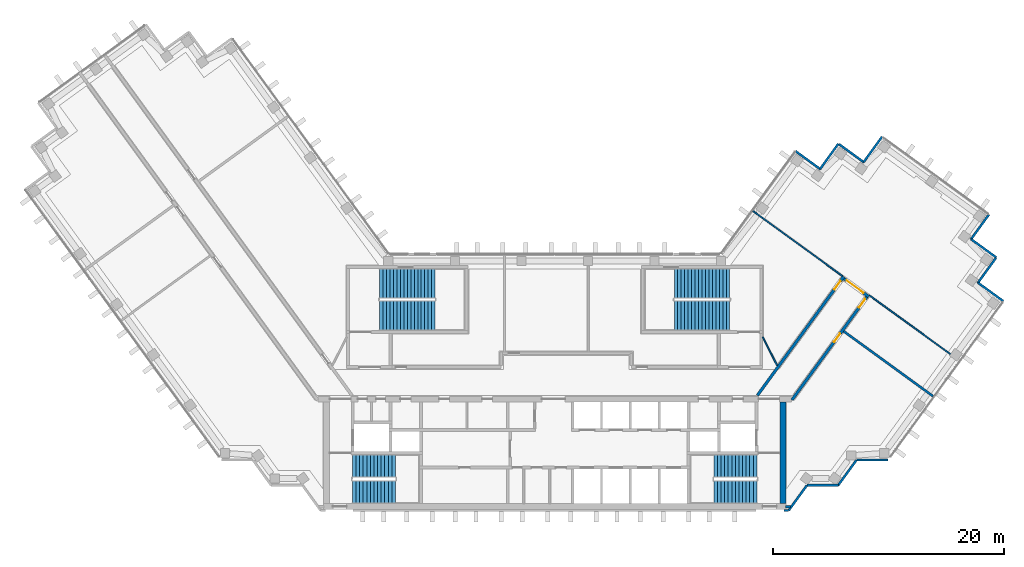
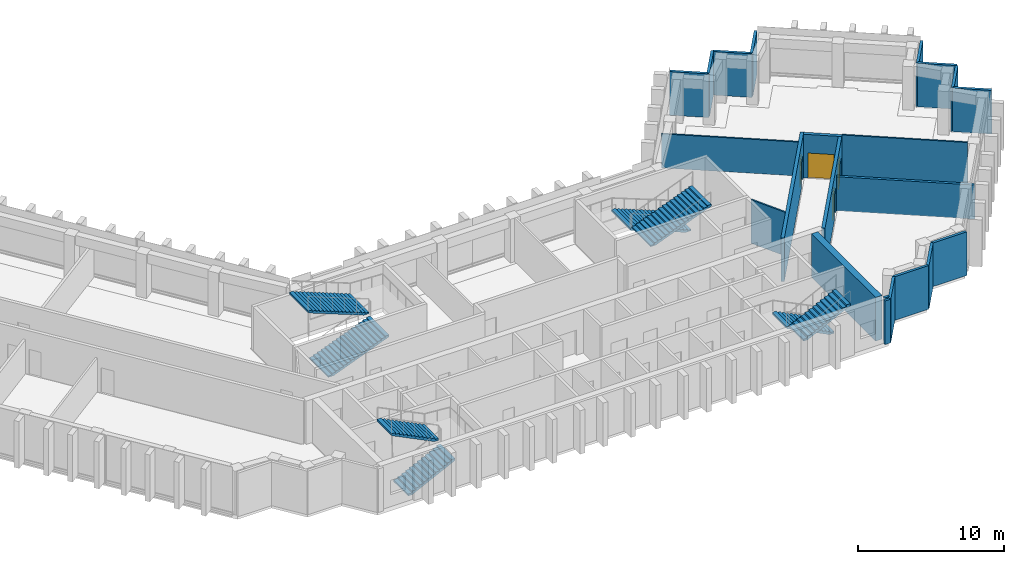
# One storey, part 7 of 9: 22 walls, 8 stair flights, 4 doors, 4 openings, 4 elements without a shape of their own.
"""IFC4 building model written with IfcOpenShell, lengths in metres."""

from ifc_helpers import new_model, si_unit, direction, frame, frame_2d, origin, place, context, subcontext, project, spatial, polyline, rectangle, outline, extrude, material, layer, layer_set, type_object, element, fill, aggregate, save


model = new_model("IFC4")

# Units and contexts
model_context = context("Model", 3, precision=1e-05, world=origin(), true_north=direction((0.0, 1.0)))
body_context = subcontext(model_context, "Body", "Model", "MODEL_VIEW")
ifc_project = project(units=[si_unit("LENGTHUNIT", "METRE"), si_unit("AREAUNIT", "SQUARE_METRE"), si_unit("VOLUMEUNIT", "CUBIC_METRE"), si_unit("PLANEANGLEUNIT", "RADIAN"), si_unit("MASSUNIT", "GRAM", prefix="KILO")], contexts=[model_context])

# Site, building, storey
site_placement = place(None, origin())
site = spatial("IfcSite", under=ifc_project, at=site_placement, CompositionType="ELEMENT")
building_placement = place(site_placement, origin())
building = spatial("IfcBuilding", under=site, at=building_placement, Name="Quipu Civic Tower", CompositionType="ELEMENT")
storey_placement = place(building_placement, frame((0.0, 0.0, 230.0)))
storey = spatial("IfcBuildingStorey", under=building, at=storey_placement, Name="L54", CompositionType="ELEMENT", Elevation=230.0)

# Walls
ifc_material_1 = material(Name="Fired clay blockwork", Category="masonry")
ifc_layer_1 = layer(ifc_material_1, 0.199951171875)
ifc_layer_set_1 = layer_set([ifc_layer_1], Name="Fired clay blockwork")
wall_type_1 = type_object("IfcWallType", Name="Blockwork wall 200", PredefinedType="SOLIDWALL", material=ifc_layer_set_1)
wall_1_placement = place(storey_placement, frame((32.734375, -1.18701171875, 0.0), z_axis=(0.0, 0.0, 1.0), x_axis=(-0.808994684961, 0.587815957341, 0.0)))
element("IfcWall", 1, at=wall_1_placement, inside=storey, type_object=wall_type_1, Name="Partition P08", PredefinedType="SOLIDWALL", context=body_context, shape_type="SweptSolid", body=[
    extrude(rectangle(XDim=9.55029296875, YDim=0.199951171875, at=frame_2d((4.775146484375, 0.0))), origin(), (0.0, 0.0, 1.0), 2.85009765625),
])
ifc_material_2 = material(Name="Concrete C70/85", Category="concrete")
ifc_layer_2 = layer(ifc_material_2, 0.5)
ifc_layer_set_2 = layer_set([ifc_layer_2], Name="Concrete C70/85")
wall_type_2 = type_object("IfcWallType", Name="Core wall 500", PredefinedType="SHEAR", material=ifc_layer_set_2)
wall_2_placement = place(storey_placement, frame((19.75, -10.5, 0.0), z_axis=(0.0, 0.0, 1.0), x_axis=(0.0, 1.0, 0.0)))
element("IfcWall", 2, at=wall_2_placement, inside=storey, type_object=wall_type_2, Name="Core wall", PredefinedType="SHEAR", context=body_context, shape_type="SweptSolid", body=[
    extrude(rectangle(XDim=8.800048828125, YDim=0.5, at=frame_2d((4.39990234375, 0.0))), origin(), (0.0, 0.0, 1.0), 3.64990234375),
])

# Wall, opening, door
ifc_material_3 = material(Name="Concrete C50/60", Category="concrete")
ifc_layer_3 = layer(ifc_material_3, 0.25)
ifc_layer_set_3 = layer_set([ifc_layer_3], Name="Concrete C50/60")
wall_type_3 = type_object("IfcWallType", Name="Corridor wall 250 concrete", PredefinedType="SOLIDWALL", material=ifc_layer_set_3)
wall_3_placement = place(storey_placement, frame((17.544921875, -1.124755859375, 0.0), z_axis=(0.0, 0.0, 1.0), x_axis=(0.587796810203, 0.809008596935, 0.0)))
wall_3 = element("IfcWall", 3, at=wall_3_placement, inside=storey, type_object=wall_type_3, Name="Corridor wall C02", PredefinedType="SOLIDWALL", context=body_context, shape_type="SweptSolid", body=[
    extrude(rectangle(XDim=12.703125, YDim=0.25, at=frame_2d((6.3515625, 0.0))), origin(), (0.0, 0.0, 1.0), 3.64990234375),
])
opening_1_placement = place(wall_3_placement, frame((11.32861328125, 0.0, 0.0)))
opening_1 = element("IfcOpeningElement", 4, at=opening_1_placement, cuts=wall_3, Name="Opening D001", PredefinedType="OPENING", context=body_context, shape_type="SweptSolid", body=[
    extrude(rectangle(XDim=0.89990234375, YDim=2.10009765625, at=frame_2d((0.449951171875, 1.050048828125))), frame((0.0, 0.135009765625, 0.0), z_axis=(0.0, -1.0, 0.0), x_axis=(1.0, 0.0, 0.0)), (0.0, 0.0, 1.0), 0.27001953125),
])
ifc_material_4 = material(Name="Fire rated timber door set with metal frame", Category="wood")
door_type_1 = type_object("IfcDoorType", Name="Single door 900 x 2100 FD60", OperationType="NOTDEFINED", PredefinedType="DOOR", material=ifc_material_4)
door_1_placement = place(opening_1_placement, origin())
door_1 = element("IfcDoor", 5, at=door_1_placement, inside=storey, type_object=door_type_1, Name="Door D001", OperationType="SINGLE_SWING_RIGHT", OverallHeight=2.10009765625, OverallWidth=0.89990234375, PredefinedType="DOOR", context=body_context, shape_type="SweptSolid", body=[
    extrude(rectangle(XDim=0.89990234375, YDim=2.10009765625, at=frame_2d((0.449951171875, 1.050048828125))), frame((0.0, 0.02490234375, 0.0), z_axis=(0.0, -1.0, 0.0), x_axis=(1.0, 0.0, 0.0)), (0.0, 0.0, 1.0), 0.050048828125),
])
fill(opening_1, door_1)

wall_4_placement = place(storey_placement, frame((25.039306640625, 8.9775390625, 0.0), z_axis=(0.0, 0.0, 1.0), x_axis=(0.809006914995, -0.587799125119, 0.0)))
wall_4 = element("IfcWall", 6, at=wall_4_placement, inside=storey, type_object=wall_type_3, Name="Corridor wall C03", PredefinedType="SOLIDWALL", context=body_context, shape_type="SweptSolid", body=[
    extrude(rectangle(XDim=2.64990234375, YDim=0.25, at=frame_2d((1.324951171875, 0.0))), origin(), (0.0, 0.0, 1.0), 3.64990234375),
])
opening_2_placement = place(wall_4_placement, frame((0.300537109375, 0.0, 0.0)))
opening_2 = element("IfcOpeningElement", 7, at=opening_2_placement, cuts=wall_4, Name="Opening D004", PredefinedType="OPENING", context=body_context, shape_type="SweptSolid", body=[
    extrude(rectangle(XDim=1.800048828125, YDim=2.10009765625, at=frame_2d((0.89990234375, 1.050048828125))), frame((0.0, 0.135009765625, 0.0), z_axis=(0.0, -1.0, 0.0), x_axis=(1.0, 0.0, 0.0)), (0.0, 0.0, 1.0), 0.27001953125),
])
ifc_material_5 = material(Name="Fire rated timber door set with metal frame", Category="wood")
door_type_2 = type_object("IfcDoorType", Name="Double door 1800 x 2100 FD60", OperationType="DOUBLE_DOOR_SINGLE_SWING", PredefinedType="DOOR", material=ifc_material_5)
door_2_placement = place(opening_2_placement, origin())
door_2 = element("IfcDoor", 8, at=door_2_placement, inside=storey, type_object=door_type_2, Name="Door D004", OperationType="DOUBLE_DOOR_SINGLE_SWING", OverallHeight=2.10009765625, OverallWidth=1.800048828125, PredefinedType="DOOR", context=body_context, shape_type="SweptSolid", body=[
    extrude(rectangle(XDim=1.800048828125, YDim=2.10009765625, at=frame_2d((0.89990234375, 1.050048828125))), frame((0.0, 0.02490234375, 0.0), z_axis=(0.0, -1.0, 0.0), x_axis=(1.0, 0.0, 0.0)), (0.0, 0.0, 1.0), 0.050048828125),
])
fill(opening_2, door_2)

# Wall, openings, doors
wall_5_placement = place(storey_placement, frame((27.008544921875, 7.392333984375, 0.0), z_axis=(0.0, 0.0, 1.0), x_axis=(-0.587776457057, -0.809023384414, 0.0)))
wall_5 = element("IfcWall", 9, at=wall_5_placement, inside=storey, type_object=wall_type_3, Name="Corridor wall C04", PredefinedType="SOLIDWALL", context=body_context, shape_type="SweptSolid", body=[
    extrude(rectangle(XDim=11.0205078125, YDim=0.25, at=frame_2d((5.51025390625, 0.0))), origin(), (0.0, 0.0, 1.0), 3.64990234375),
])
opening_3_placement = place(wall_5_placement, frame((3.904541015625, 0.0, 0.0)))
opening_3 = element("IfcOpeningElement", 10, at=opening_3_placement, cuts=wall_5, Name="Opening D002", PredefinedType="OPENING", context=body_context, shape_type="SweptSolid", body=[
    extrude(rectangle(XDim=0.89990234375, YDim=2.10009765625, at=frame_2d((0.449951171875, 1.050048828125))), frame((0.0, 0.135009765625, 0.0), z_axis=(0.0, -1.0, 0.0), x_axis=(1.0, 0.0, 0.0)), (0.0, 0.0, 1.0), 0.27001953125),
])
opening_4_placement = place(wall_5_placement, frame((0.224609375, 0.0, 0.0)))
opening_4 = element("IfcOpeningElement", 11, at=opening_4_placement, cuts=wall_5, Name="Opening D003", PredefinedType="OPENING", context=body_context, shape_type="SweptSolid", body=[
    extrude(rectangle(XDim=0.89990234375, YDim=2.10009765625, at=frame_2d((0.449951171875, 1.050048828125))), frame((0.0, 0.135009765625, 0.0), z_axis=(0.0, -1.0, 0.0), x_axis=(1.0, 0.0, 0.0)), (0.0, 0.0, 1.0), 0.27001953125),
])
door_3_placement = place(opening_3_placement, origin())
door_3 = element("IfcDoor", 12, at=door_3_placement, inside=storey, type_object=door_type_1, Name="Door D002", OperationType="SINGLE_SWING_LEFT", OverallHeight=2.10009765625, OverallWidth=0.89990234375, PredefinedType="DOOR", context=body_context, shape_type="SweptSolid", body=[
    extrude(rectangle(XDim=0.89990234375, YDim=2.10009765625, at=frame_2d((0.449951171875, 1.050048828125))), frame((0.0, 0.02490234375, 0.0), z_axis=(0.0, -1.0, 0.0), x_axis=(1.0, 0.0, 0.0)), (0.0, 0.0, 1.0), 0.050048828125),
])
fill(opening_3, door_3)
door_4_placement = place(opening_4_placement, origin())
door_4 = element("IfcDoor", 13, at=door_4_placement, inside=storey, type_object=door_type_1, Name="Door D003", OperationType="SINGLE_SWING_LEFT", OverallHeight=2.10009765625, OverallWidth=0.89990234375, PredefinedType="DOOR", context=body_context, shape_type="SweptSolid", body=[
    extrude(rectangle(XDim=0.89990234375, YDim=2.10009765625, at=frame_2d((0.449951171875, 1.050048828125))), frame((0.0, 0.02490234375, 0.0), z_axis=(0.0, -1.0, 0.0), x_axis=(1.0, 0.0, 0.0)), (0.0, 0.0, 1.0), 0.050048828125),
])
fill(opening_4, door_4)

# Walls
ifc_material_6 = material(Name="Gypsum plasterboard on light gauge framing")
ifc_layer_4 = layer(ifc_material_6, 0.1201171875)
ifc_layer_set_4 = layer_set([ifc_layer_4], Name="Gypsum plasterboard on light gauge framing")
wall_type_4 = type_object("IfcWallType", Name="Partition 120 plasterboard", PredefinedType="PARTITIONING", material=ifc_layer_set_4)
wall_6_placement = place(storey_placement, frame((24.89794921875, 9.20947265625, 0.0), z_axis=(0.0, 0.0, 1.0), x_axis=(-0.809013490065, 0.587790075531, 0.0)))
element("IfcWall", 14, at=wall_6_placement, inside=storey, type_object=wall_type_4, Name="Partition P01", PredefinedType="PARTITIONING", context=body_context, shape_type="SweptSolid", body=[
    extrude(rectangle(XDim=9.54931640625, YDim=0.1201171875, at=frame_2d((4.774658203125, 0.0))), origin(), (0.0, 0.0, 1.0), 2.85009765625),
])
wall_7_placement = place(storey_placement, frame((27.240478515625, 7.532470703125, 0.0), z_axis=(0.0, 0.0, 1.0), x_axis=(0.809033281668, -0.587762834103, 0.0)))
element("IfcWall", 15, at=wall_7_placement, inside=storey, type_object=wall_type_4, Name="Partition P07", PredefinedType="PARTITIONING", context=body_context, shape_type="SweptSolid", body=[
    extrude(rectangle(XDim=8.664794921875, YDim=0.1201171875, at=frame_2d((4.33251953125, 0.0))), origin(), (0.0, 0.0, 1.0), 3.64990234375),
])
wall_8_placement = place(storey_placement, frame((18.0, 3.925048828125, 0.0), z_axis=(0.0, 0.0, 1.0), x_axis=(0.453950796792, -0.891026752736, 0.0)))
element("IfcWall", 16, at=wall_8_placement, inside=storey, type_object=wall_type_4, Name="Partition P09", PredefinedType="PARTITIONING", context=body_context, shape_type="SweptSolid", body=[
    extrude(rectangle(XDim=2.77783203125, YDim=0.1201171875, at=frame_2d((1.388916015625, 0.0))), origin(), (0.0, 0.0, 1.0), 3.64990234375),
])
ifc_material_7 = material(Name="Precast concrete C40/50", Category="concrete")
wall_type_5 = type_object("IfcWallType", Name="Precast cladding wall", PredefinedType="SOLIDWALL", material=ifc_material_7)
wall_9_placement = place(storey_placement, frame((21.8427734375, -8.90380859375, 0.0), z_axis=(0.0, 0.0, 1.0), x_axis=(1.0, 0.0, 0.0)))
element("IfcWall", 17, at=wall_9_placement, inside=storey, type_object=wall_type_5, Name="Precast cladding wall L54 P01", PredefinedType="SOLIDWALL", context=body_context, shape_type="SweptSolid", body=[
    extrude(rectangle(XDim=2.699951171875, YDim=0.199951171875, at=frame_2d((1.35009765625, 0.0))), origin(), (0.0, 0.0, 1.0), 3.64990234375),
])
wall_10_placement = place(storey_placement, frame((24.533203125, -8.90869140625, 0.0), z_axis=(0.0, 0.0, 1.0), x_axis=(0.587720002413, 0.809064397168, 0.0)))
element("IfcWall", 18, at=wall_10_placement, inside=storey, type_object=wall_type_5, Name="Precast cladding wall L54 P02", PredefinedType="SOLIDWALL", context=body_context, shape_type="SweptSolid", body=[
    extrude(rectangle(XDim=2.7001953125, YDim=0.199951171875, at=frame_2d((1.35009765625, 0.0))), origin(), (0.0, 0.0, 1.0), 3.64990234375),
])
for number, where, z_axis, x_axis, name in (
    (19, (26.1298828125, -6.71923828125, 0.0), (0.0, 0.0, 1.0), (1.0, 0.0, 0.0), "Precast cladding wall L54 P03"),
    (20, (38.82861328125, 7.031005859375, 0.0), (0.0, 0.0, 1.0), (-0.808990163075, 0.587822180636, 0.0), "Precast cladding wall L54 P05"),
    (21, (36.60205078125, 8.580322265625, 0.0), (0.0, 0.0, 1.0), (0.587822180636, 0.808990163075, 0.0), "Precast cladding wall L54 P06"),
    (22, (38.231201171875, 10.80224609375, 0.0), (0.0, 0.0, 1.0), (-0.808958916286, 0.58786518162, 0.0), "Precast cladding wall L54 P07"),
):
    element("IfcWall", number, at=place(storey_placement, frame(where, z_axis=z_axis, x_axis=x_axis)), inside=storey, type_object=wall_type_5, Name=name, PredefinedType="SOLIDWALL", context=body_context, shape_type="SweptSolid", body=[
        extrude(rectangle(XDim=2.699951171875, YDim=0.199951171875, at=frame_2d((1.35009765625, 0.0))), origin(), (0.0, 0.0, 1.0), 3.64990234375),
    ])
wall_11_placement = place(storey_placement, frame((19.85009765625, -11.087890625, 0.0), z_axis=(0.0, 0.0, 1.0), x_axis=(1.0, 0.0, 0.0)))
element("IfcWall", 23, at=wall_11_placement, inside=storey, type_object=wall_type_5, Name="Precast cladding wall L54 18", PredefinedType="SOLIDWALL", context=body_context, shape_type="SweptSolid", body=[
    extrude(rectangle(XDim=0.40576171875, YDim=0.199951171875, at=frame_2d((0.202880859375, 0.0))), origin(), (0.0, 0.0, 1.0), 3.64990234375),
])
wall_12_placement = place(storey_placement, frame((20.253173828125, -11.083251953125, 0.0), z_axis=(0.0, 0.0, 1.0), x_axis=(0.587766567315, 0.809030569476, 0.0)))
element("IfcWall", 24, at=wall_12_placement, inside=storey, type_object=wall_type_5, Name="Precast cladding wall L54 19", PredefinedType="SOLIDWALL", context=body_context, shape_type="SweptSolid", body=[
    extrude(rectangle(XDim=2.687744140625, YDim=0.199951171875, at=frame_2d((1.34375, 0.0))), origin(), (0.0, 0.0, 1.0), 3.64990234375),
])
for number, where, z_axis, x_axis, name in (
    (25, (36.0048828125, 12.3515625, 0.0), (0.0, 0.0, 1.0), (0.587762999008, 0.809033161865, 0.0), "Precast cladding wall L54 20"),
    (26, (28.333984375, 21.26220703125, 0.0), (0.0, 0.0, 1.0), (-0.587762999008, -0.809033161865, 0.0), "Precast cladding wall L54 22"),
):
    element("IfcWall", number, at=place(storey_placement, frame(where, z_axis=z_axis, x_axis=x_axis)), inside=storey, type_object=wall_type_5, Name=name, PredefinedType="SOLIDWALL", context=body_context, shape_type="SweptSolid", body=[
        extrude(rectangle(XDim=2.699951171875, YDim=0.199951171875, at=frame_2d((1.35009765625, 0.0))), origin(), (0.0, 0.0, 1.0), 3.64990234375),
    ])
wall_13_placement = place(storey_placement, frame((26.78466796875, 19.03564453125, 0.0), z_axis=(0.0, 0.0, 1.0), x_axis=(-0.809064397168, 0.587720002413, 0.0)))
element("IfcWall", 27, at=wall_13_placement, inside=storey, type_object=wall_type_5, Name="Precast cladding wall L54 23", PredefinedType="SOLIDWALL", context=body_context, shape_type="SweptSolid", body=[
    extrude(rectangle(XDim=2.7001953125, YDim=0.199951171875, at=frame_2d((1.35009765625, 0.0))), origin(), (0.0, 0.0, 1.0), 3.64990234375),
])
for number, where, z_axis, x_axis, name in (
    (28, (24.562744140625, 20.664794921875, 0.0), (0.0, 0.0, 1.0), (-0.587822180636, -0.808990163075, 0.0), "Precast cladding wall L54 24"),
    (29, (23.01318359375, 18.438232421875, 0.0), (0.0, 0.0, 1.0), (-0.808990163075, 0.587822180636, 0.0), "Precast cladding wall L54 25"),
):
    element("IfcWall", number, at=place(storey_placement, frame(where, z_axis=z_axis, x_axis=x_axis)), inside=storey, type_object=wall_type_5, Name=name, PredefinedType="SOLIDWALL", context=body_context, shape_type="SweptSolid", body=[
        extrude(rectangle(XDim=2.699951171875, YDim=0.199951171875, at=frame_2d((1.35009765625, 0.0))), origin(), (0.0, 0.0, 1.0), 3.64990234375),
    ])
wall_14_placement = place(storey_placement, frame((19.97998046875, -10.75, 0.0), z_axis=(0.0, 0.0, 1.0), x_axis=(1.0, 0.0, 0.0)))
element("IfcWall", 30, at=wall_14_placement, inside=storey, type_object=wall_type_5, Name="Precast cladding return L54 E", PredefinedType="SOLIDWALL", context=body_context, shape_type="SweptSolid", body=[
    extrude(rectangle(XDim=0.41650390625, YDim=0.199951171875, at=frame_2d((0.208251953125, 0.0))), origin(), (0.0, 0.0, 1.0), 3.64990234375),
])

# Stair, stair flights
ifc_material_8 = material(Name="Concrete C40/50", Category="concrete")
stair_type_1 = type_object("IfcStairType", Name="Half turn stair 2000", PredefinedType="HALF_TURN_STAIR", material=ifc_material_8)
stair_1_placement = place(storey_placement, origin())
stair_1 = element("IfcStair", 31, at=stair_1_placement, inside=storey, type_object=stair_type_1, Name="Exit stair 1", PredefinedType="HALF_TURN_STAIR")
ifc_material_9 = material(Name="Concrete C40/50", Category="concrete")
stair_flight_type_1 = type_object("IfcStairFlightType", Name="Stair flight 2000", PredefinedType="STRAIGHT", material=ifc_material_9)
stair_flight_1_placement = place(storey_placement, frame((-17.5, -9.5, 0.0), z_axis=(0.0, 0.0, 1.0), x_axis=(1.0, 0.0, 0.0)))
stair_flight_1 = element("IfcStairFlight", 32, at=stair_flight_1_placement, type_object=stair_flight_type_1, Name="ST-1 flight 1", NumberOfRisers=13, NumberOfTreads=12, PredefinedType="STRAIGHT", RiserHeight=0.153846154, TreadLength=0.31, context=body_context, shape_type="SweptSolid", body=[
    extrude(outline(polyline([(0.0, 0.0), (0.0, 0.15380859375), (0.31005859375, 0.15380859375), (0.31005859375, 0.3076171875), (0.6201171875, 0.3076171875), (0.6201171875, 0.46142578125), (0.929931640625, 0.46142578125), (0.929931640625, 0.615478515625), (1.239990234375, 0.615478515625), (1.239990234375, 0.769287109375), (1.550048828125, 0.769287109375), (1.550048828125, 0.923095703125), (1.860107421875, 0.923095703125), (1.860107421875, 1.076904296875), (2.169921875, 1.076904296875), (2.169921875, 1.230712890625), (2.47998046875, 1.230712890625), (2.47998046875, 1.384521484375), (2.7900390625, 1.384521484375), (2.7900390625, 1.53857421875), (3.10009765625, 1.53857421875), (3.10009765625, 1.6923828125), (3.409912109375, 1.6923828125), (3.409912109375, 1.84619140625), (3.719970703125, 1.84619140625), (3.719970703125, 2.0), (3.719970703125, 1.6787109375), (0.337158203125, 0.0), (0.0, 0.0)])), frame((0.0, 1.0, 0.0), z_axis=(0.0, -1.0, 0.0), x_axis=(1.0, 0.0, 0.0)), (0.0, 0.0, 1.0), 2.0),
])
stair_flight_2_placement = place(storey_placement, frame((-13.780029296875, -7.25, 2.0), z_axis=(0.0, 0.0, 1.0), x_axis=(-1.0, 0.0, 0.0)))
stair_flight_2 = element("IfcStairFlight", 33, at=stair_flight_2_placement, type_object=stair_flight_type_1, Name="ST-1 flight 2", NumberOfRisers=13, NumberOfTreads=12, PredefinedType="STRAIGHT", RiserHeight=0.153846154, TreadLength=0.31, context=body_context, shape_type="SweptSolid", body=[
    extrude(outline(polyline([(0.0, 0.0), (0.0, 0.15380859375), (0.31005859375, 0.15380859375), (0.31005859375, 0.3076171875), (0.6201171875, 0.3076171875), (0.6201171875, 0.46142578125), (0.929931640625, 0.46142578125), (0.929931640625, 0.615478515625), (1.239990234375, 0.615478515625), (1.239990234375, 0.769287109375), (1.550048828125, 0.769287109375), (1.550048828125, 0.923095703125), (1.860107421875, 0.923095703125), (1.860107421875, 1.076904296875), (2.169921875, 1.076904296875), (2.169921875, 1.230712890625), (2.47998046875, 1.230712890625), (2.47998046875, 1.384521484375), (2.7900390625, 1.384521484375), (2.7900390625, 1.53857421875), (3.10009765625, 1.53857421875), (3.10009765625, 1.6923828125), (3.409912109375, 1.6923828125), (3.409912109375, 1.84619140625), (3.719970703125, 1.84619140625), (3.719970703125, 2.0), (3.719970703125, 1.6787109375), (0.337158203125, 0.0), (0.0, 0.0)])), frame((0.0, 1.0, 0.0), z_axis=(0.0, -1.0, 0.0), x_axis=(1.0, 0.0, 0.0)), (0.0, 0.0, 1.0), 2.0),
])
aggregate(stair_1, [stair_flight_1, stair_flight_2])

stair_2_placement = place(storey_placement, origin())
stair_2 = element("IfcStair", 34, at=stair_2_placement, inside=storey, type_object=stair_type_1, Name="Exit stair 2", PredefinedType="HALF_TURN_STAIR")
stair_flight_3_placement = place(storey_placement, frame((17.5, -7.25, 0.0), z_axis=(0.0, 0.0, 1.0), x_axis=(-1.0, 0.0, 0.0)))
stair_flight_3 = element("IfcStairFlight", 35, at=stair_flight_3_placement, type_object=stair_flight_type_1, Name="ST-2 flight 1", NumberOfRisers=13, NumberOfTreads=12, PredefinedType="STRAIGHT", RiserHeight=0.153846154, TreadLength=0.31, context=body_context, shape_type="SweptSolid", body=[
    extrude(outline(polyline([(0.0, 0.0), (0.0, 0.15380859375), (0.31005859375, 0.15380859375), (0.31005859375, 0.3076171875), (0.6201171875, 0.3076171875), (0.6201171875, 0.46142578125), (0.929931640625, 0.46142578125), (0.929931640625, 0.615478515625), (1.239990234375, 0.615478515625), (1.239990234375, 0.769287109375), (1.550048828125, 0.769287109375), (1.550048828125, 0.923095703125), (1.860107421875, 0.923095703125), (1.860107421875, 1.076904296875), (2.169921875, 1.076904296875), (2.169921875, 1.230712890625), (2.47998046875, 1.230712890625), (2.47998046875, 1.384521484375), (2.7900390625, 1.384521484375), (2.7900390625, 1.53857421875), (3.10009765625, 1.53857421875), (3.10009765625, 1.6923828125), (3.409912109375, 1.6923828125), (3.409912109375, 1.84619140625), (3.719970703125, 1.84619140625), (3.719970703125, 2.0), (3.719970703125, 1.6787109375), (0.337158203125, 0.0), (0.0, 0.0)])), frame((0.0, 1.0, 0.0), z_axis=(0.0, -1.0, 0.0), x_axis=(1.0, 0.0, 0.0)), (0.0, 0.0, 1.0), 2.0),
])
stair_flight_4_placement = place(storey_placement, frame((13.780029296875, -9.5, 2.0), z_axis=(0.0, 0.0, 1.0), x_axis=(1.0, 0.0, 0.0)))
stair_flight_4 = element("IfcStairFlight", 36, at=stair_flight_4_placement, type_object=stair_flight_type_1, Name="ST-2 flight 2", NumberOfRisers=13, NumberOfTreads=12, PredefinedType="STRAIGHT", RiserHeight=0.153846154, TreadLength=0.31, context=body_context, shape_type="SweptSolid", body=[
    extrude(outline(polyline([(0.0, 0.0), (0.0, 0.15380859375), (0.31005859375, 0.15380859375), (0.31005859375, 0.3076171875), (0.6201171875, 0.3076171875), (0.6201171875, 0.46142578125), (0.929931640625, 0.46142578125), (0.929931640625, 0.615478515625), (1.239990234375, 0.615478515625), (1.239990234375, 0.769287109375), (1.550048828125, 0.769287109375), (1.550048828125, 0.923095703125), (1.860107421875, 0.923095703125), (1.860107421875, 1.076904296875), (2.169921875, 1.076904296875), (2.169921875, 1.230712890625), (2.47998046875, 1.230712890625), (2.47998046875, 1.384521484375), (2.7900390625, 1.384521484375), (2.7900390625, 1.53857421875), (3.10009765625, 1.53857421875), (3.10009765625, 1.6923828125), (3.409912109375, 1.6923828125), (3.409912109375, 1.84619140625), (3.719970703125, 1.84619140625), (3.719970703125, 2.0), (3.719970703125, 1.6787109375), (0.337158203125, 0.0), (0.0, 0.0)])), frame((0.0, 1.0, 0.0), z_axis=(0.0, -1.0, 0.0), x_axis=(1.0, 0.0, 0.0)), (0.0, 0.0, 1.0), 2.0),
])
aggregate(stair_2, [stair_flight_3, stair_flight_4])

ifc_material_10 = material(Name="Concrete C40/50", Category="concrete")
stair_type_2 = type_object("IfcStairType", Name="Half turn stair 2600", PredefinedType="HALF_TURN_STAIR", material=ifc_material_10)
stair_3_placement = place(storey_placement, origin())
stair_3 = element("IfcStair", 37, at=stair_3_placement, inside=storey, type_object=stair_type_2, Name="Exit stair 3", PredefinedType="HALF_TURN_STAIR")
ifc_material_11 = material(Name="Concrete C40/50", Category="concrete")
stair_flight_type_2 = type_object("IfcStairFlightType", Name="Stair flight 2600", PredefinedType="STRAIGHT", material=ifc_material_11)
stair_flight_5_placement = place(storey_placement, frame((-15.14990234375, 5.800048828125, 0.0), z_axis=(0.0, 0.0, 1.0), x_axis=(1.0, 0.0, 0.0)))
stair_flight_5 = element("IfcStairFlight", 38, at=stair_flight_5_placement, type_object=stair_flight_type_2, Name="ST-3 flight 1", NumberOfRisers=17, NumberOfTreads=16, PredefinedType="STRAIGHT", RiserHeight=0.117647059, TreadLength=0.3, context=body_context, shape_type="SweptSolid", body=[
    extrude(outline(polyline([(0.0, 0.0), (0.0, 0.11767578125), (0.300048828125, 0.11767578125), (0.300048828125, 0.2353515625), (0.60009765625, 0.2353515625), (0.60009765625, 0.35302734375), (0.89990234375, 0.35302734375), (0.89990234375, 0.470703125), (1.199951171875, 0.470703125), (1.199951171875, 0.588134765625), (1.5, 0.588134765625), (1.5, 0.705810546875), (1.800048828125, 0.705810546875), (1.800048828125, 0.823486328125), (2.10009765625, 0.823486328125), (2.10009765625, 0.941162109375), (2.39990234375, 0.941162109375), (2.39990234375, 1.058837890625), (2.699951171875, 1.058837890625), (2.699951171875, 1.176513671875), (3.0, 1.176513671875), (3.0, 1.294189453125), (3.300048828125, 1.294189453125), (3.300048828125, 1.411865234375), (3.60009765625, 1.411865234375), (3.60009765625, 1.529296875), (3.89990234375, 1.529296875), (3.89990234375, 1.64697265625), (4.199951171875, 1.64697265625), (4.199951171875, 1.7646484375), (4.5, 1.7646484375), (4.5, 1.88232421875), (4.800048828125, 1.88232421875), (4.800048828125, 2.0), (4.800048828125, 1.721435546875), (0.41064453125, 0.0), (0.0, 0.0)])), frame((0.0, 1.300048828125, 0.0), z_axis=(0.0, -1.0, 0.0), x_axis=(1.0, 0.0, 0.0)), (0.0, 0.0, 1.0), 2.60009765625),
])
stair_flight_6_placement = place(storey_placement, frame((-10.35009765625, 8.550048828125, 2.0), z_axis=(0.0, 0.0, 1.0), x_axis=(-1.0, 0.0, 0.0)))
stair_flight_6 = element("IfcStairFlight", 39, at=stair_flight_6_placement, type_object=stair_flight_type_2, Name="ST-3 flight 2", NumberOfRisers=17, NumberOfTreads=16, PredefinedType="STRAIGHT", RiserHeight=0.117647059, TreadLength=0.3, context=body_context, shape_type="SweptSolid", body=[
    extrude(outline(polyline([(0.0, 0.0), (0.0, 0.11767578125), (0.300048828125, 0.11767578125), (0.300048828125, 0.2353515625), (0.60009765625, 0.2353515625), (0.60009765625, 0.35302734375), (0.89990234375, 0.35302734375), (0.89990234375, 0.470703125), (1.199951171875, 0.470703125), (1.199951171875, 0.588134765625), (1.5, 0.588134765625), (1.5, 0.705810546875), (1.800048828125, 0.705810546875), (1.800048828125, 0.823486328125), (2.10009765625, 0.823486328125), (2.10009765625, 0.941162109375), (2.39990234375, 0.941162109375), (2.39990234375, 1.058837890625), (2.699951171875, 1.058837890625), (2.699951171875, 1.176513671875), (3.0, 1.176513671875), (3.0, 1.294189453125), (3.300048828125, 1.294189453125), (3.300048828125, 1.411865234375), (3.60009765625, 1.411865234375), (3.60009765625, 1.529296875), (3.89990234375, 1.529296875), (3.89990234375, 1.64697265625), (4.199951171875, 1.64697265625), (4.199951171875, 1.7646484375), (4.5, 1.7646484375), (4.5, 1.88232421875), (4.800048828125, 1.88232421875), (4.800048828125, 2.0), (4.800048828125, 1.721435546875), (0.41064453125, 0.0), (0.0, 0.0)])), frame((0.0, 1.300048828125, 0.0), z_axis=(0.0, -1.0, 0.0), x_axis=(1.0, 0.0, 0.0)), (0.0, 0.0, 1.0), 2.60009765625),
])
aggregate(stair_3, [stair_flight_5, stair_flight_6])

stair_4_placement = place(storey_placement, origin())
stair_4 = element("IfcStair", 40, at=stair_4_placement, inside=storey, type_object=stair_type_2, Name="Exit stair 4", PredefinedType="HALF_TURN_STAIR")
stair_flight_7_placement = place(storey_placement, frame((15.14990234375, 8.550048828125, 0.0), z_axis=(0.0, 0.0, 1.0), x_axis=(-1.0, 0.0, 0.0)))
stair_flight_7 = element("IfcStairFlight", 41, at=stair_flight_7_placement, type_object=stair_flight_type_2, Name="ST-4 flight 1", NumberOfRisers=17, NumberOfTreads=16, PredefinedType="STRAIGHT", RiserHeight=0.117647059, TreadLength=0.3, context=body_context, shape_type="SweptSolid", body=[
    extrude(outline(polyline([(0.0, 0.0), (0.0, 0.11767578125), (0.300048828125, 0.11767578125), (0.300048828125, 0.2353515625), (0.60009765625, 0.2353515625), (0.60009765625, 0.35302734375), (0.89990234375, 0.35302734375), (0.89990234375, 0.470703125), (1.199951171875, 0.470703125), (1.199951171875, 0.588134765625), (1.5, 0.588134765625), (1.5, 0.705810546875), (1.800048828125, 0.705810546875), (1.800048828125, 0.823486328125), (2.10009765625, 0.823486328125), (2.10009765625, 0.941162109375), (2.39990234375, 0.941162109375), (2.39990234375, 1.058837890625), (2.699951171875, 1.058837890625), (2.699951171875, 1.176513671875), (3.0, 1.176513671875), (3.0, 1.294189453125), (3.300048828125, 1.294189453125), (3.300048828125, 1.411865234375), (3.60009765625, 1.411865234375), (3.60009765625, 1.529296875), (3.89990234375, 1.529296875), (3.89990234375, 1.64697265625), (4.199951171875, 1.64697265625), (4.199951171875, 1.7646484375), (4.5, 1.7646484375), (4.5, 1.88232421875), (4.800048828125, 1.88232421875), (4.800048828125, 2.0), (4.800048828125, 1.721435546875), (0.41064453125, 0.0), (0.0, 0.0)])), frame((0.0, 1.300048828125, 0.0), z_axis=(0.0, -1.0, 0.0), x_axis=(1.0, 0.0, 0.0)), (0.0, 0.0, 1.0), 2.60009765625),
])
stair_flight_8_placement = place(storey_placement, frame((10.35009765625, 5.800048828125, 2.0), z_axis=(0.0, 0.0, 1.0), x_axis=(1.0, 0.0, 0.0)))
stair_flight_8 = element("IfcStairFlight", 42, at=stair_flight_8_placement, type_object=stair_flight_type_2, Name="ST-4 flight 2", NumberOfRisers=17, NumberOfTreads=16, PredefinedType="STRAIGHT", RiserHeight=0.117647059, TreadLength=0.3, context=body_context, shape_type="SweptSolid", body=[
    extrude(outline(polyline([(0.0, 0.0), (0.0, 0.11767578125), (0.300048828125, 0.11767578125), (0.300048828125, 0.2353515625), (0.60009765625, 0.2353515625), (0.60009765625, 0.35302734375), (0.89990234375, 0.35302734375), (0.89990234375, 0.470703125), (1.199951171875, 0.470703125), (1.199951171875, 0.588134765625), (1.5, 0.588134765625), (1.5, 0.705810546875), (1.800048828125, 0.705810546875), (1.800048828125, 0.823486328125), (2.10009765625, 0.823486328125), (2.10009765625, 0.941162109375), (2.39990234375, 0.941162109375), (2.39990234375, 1.058837890625), (2.699951171875, 1.058837890625), (2.699951171875, 1.176513671875), (3.0, 1.176513671875), (3.0, 1.294189453125), (3.300048828125, 1.294189453125), (3.300048828125, 1.411865234375), (3.60009765625, 1.411865234375), (3.60009765625, 1.529296875), (3.89990234375, 1.529296875), (3.89990234375, 1.64697265625), (4.199951171875, 1.64697265625), (4.199951171875, 1.7646484375), (4.5, 1.7646484375), (4.5, 1.88232421875), (4.800048828125, 1.88232421875), (4.800048828125, 2.0), (4.800048828125, 1.721435546875), (0.41064453125, 0.0), (0.0, 0.0)])), frame((0.0, 1.300048828125, 0.0), z_axis=(0.0, -1.0, 0.0), x_axis=(1.0, 0.0, 0.0)), (0.0, 0.0, 1.0), 2.60009765625),
])
aggregate(stair_4, [stair_flight_7, stair_flight_8])

save(model, "model.ifc")
